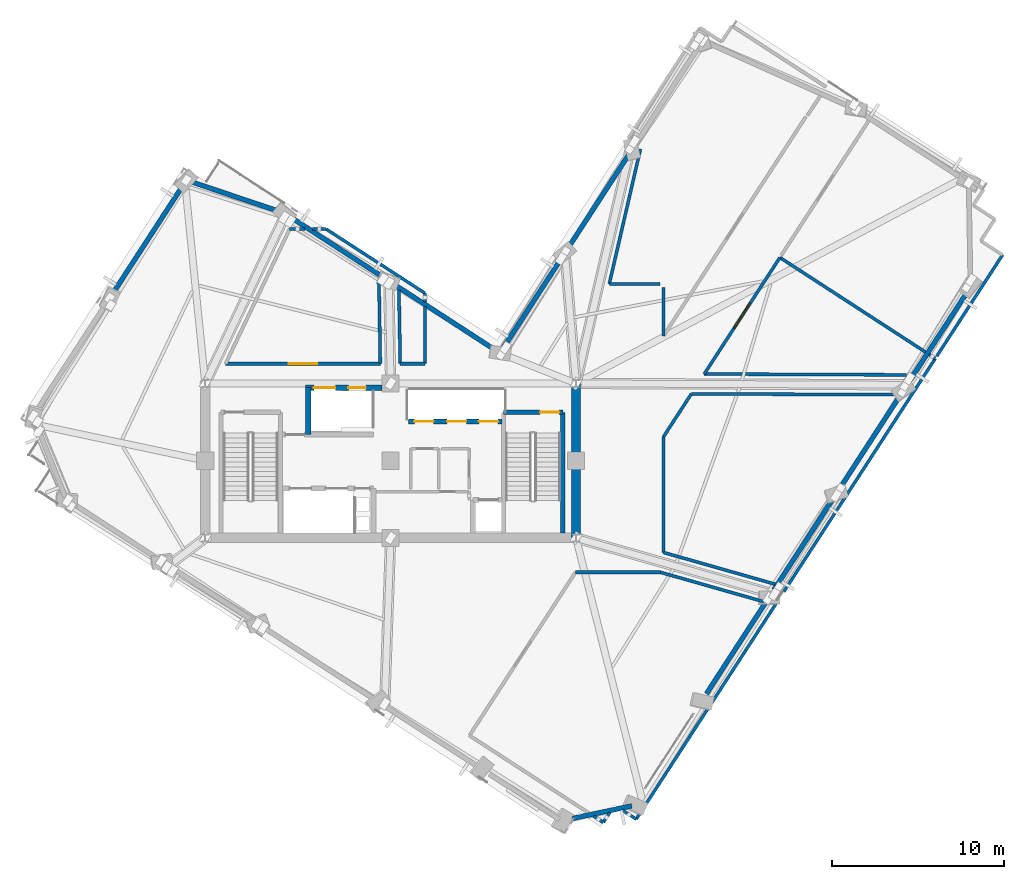
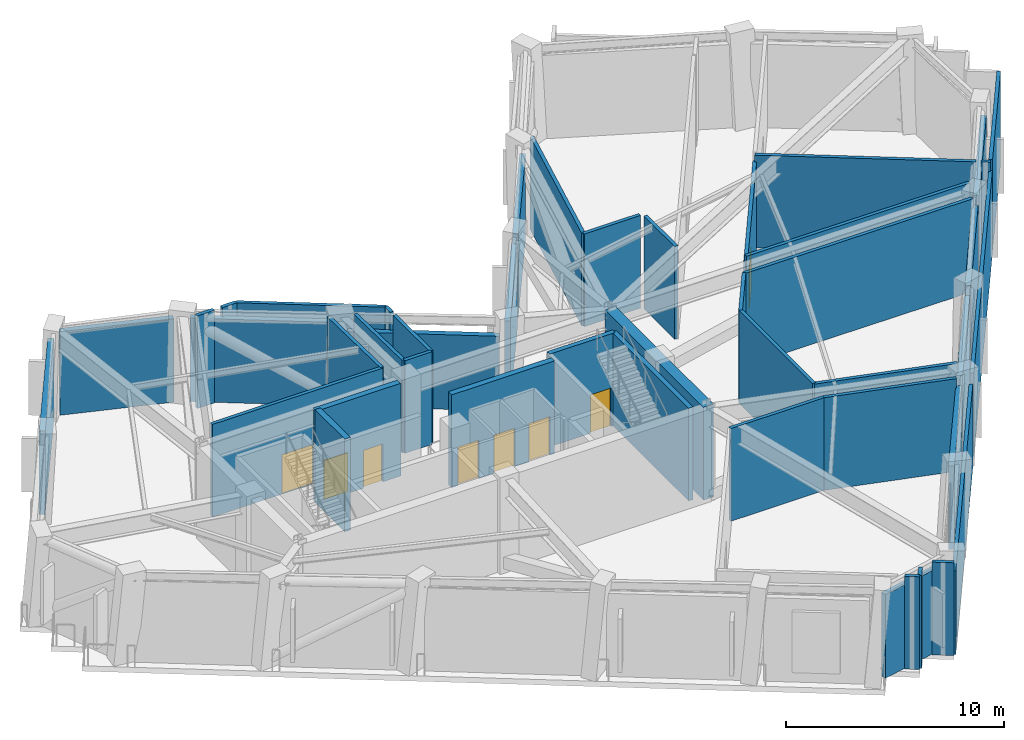
# One storey, part 5 of 11: 45 walls, 8 doors, 8 openings.
"""IFC4 building model written with IfcOpenShell, lengths in metres."""

from ifc_helpers import new_model, si_unit, direction, frame, frame_2d, origin, place, context, subcontext, project, spatial, rectangle, extrude, material, layer, layer_set, type_object, element, fill, save


model = new_model("IFC4")

# Units and contexts
model_context = context("Model", 3, precision=1e-05, world=origin(), true_north=direction((0.0, 1.0)))
body_context = subcontext(model_context, "Body", "Model", "MODEL_VIEW")
ifc_project = project(units=[si_unit("LENGTHUNIT", "METRE"), si_unit("AREAUNIT", "SQUARE_METRE"), si_unit("VOLUMEUNIT", "CUBIC_METRE"), si_unit("PLANEANGLEUNIT", "RADIAN"), si_unit("MASSUNIT", "GRAM", prefix="KILO")], contexts=[model_context])

# Site, building, storey
site_placement = place(None, origin())
site = spatial("IfcSite", under=ifc_project, at=site_placement, CompositionType="ELEMENT")
building_placement = place(site_placement, origin())
building = spatial("IfcBuilding", under=site, at=building_placement, Name="Gaonmaruhae Medical Tower", CompositionType="ELEMENT")
storey_placement = place(building_placement, frame((0.0, 0.0, 267.199951171875)))
storey = spatial("IfcBuildingStorey", under=building, at=storey_placement, Name="L64", CompositionType="ELEMENT", Elevation=267.199951171875)

# Walls
ifc_material_1 = material(Name="Concrete C50/60", Category="concrete")
ifc_layer_1 = layer(ifc_material_1, 0.550048828125)
ifc_layer_set_1 = layer_set([ifc_layer_1], Name="Concrete C50/60")
wall_type_1 = type_object("IfcWallType", Name="CW-550 Mid-High Core Shear Wall", PredefinedType="SHEAR", material=ifc_layer_set_1)
wall_1_placement = place(storey_placement, frame((35.60009765625, 7.800048828125, 0.0), z_axis=(0.0, 0.0, 1.0), x_axis=(0.0, 1.0, 0.0)))
element("IfcWall", 1, at=wall_1_placement, inside=storey, type_object=wall_type_1, Name="L64 Core Shear Wall CSW-E1", PredefinedType="SHEAR", context=body_context, shape_type="SweptSolid", body=[
    extrude(rectangle(XDim=9.0, YDim=0.550048828125, at=frame_2d((4.5, 0.0))), origin(), (0.0, 0.0, 1.0), 5.179931640625),
])
ifc_material_2 = material(Name="Precast concrete C45/55", Category="concrete")
ifc_layer_2 = layer(ifc_material_2, 0.280029296875)
ifc_layer_set_2 = layer_set([ifc_layer_2], Name="Precast concrete C45/55")
wall_type_2 = type_object("IfcWallType", Name="EW-280 Upper Precast Masonry-Frame Facade Wall", PredefinedType="SOLIDWALL", material=ifc_layer_set_2)
wall_2_placement = place(storey_placement, frame((46.702880859375, 4.1240234375, 0.0), z_axis=(0.0, 0.0, 1.0), x_axis=(-0.544623108632, -0.838680910445, 0.0)))
element("IfcWall", 2, at=wall_2_placement, inside=storey, type_object=wall_type_2, Name="L64 Precast Masonry-Frame Wall S02-S03", PredefinedType="SOLIDWALL", context=body_context, shape_type="SweptSolid", body=[
    extrude(rectangle(XDim=6.4384765625, YDim=0.280029296875, at=frame_2d((3.21923828125, 0.0))), origin(), (0.0, 0.0, 1.0), 4.6650390625),
])
wall_3_placement = place(storey_placement, frame((50.619873046875, 10.155517578125, 0.0), z_axis=(0.0, 0.0, 1.0), x_axis=(-0.544645779621, -0.838666187909, 0.0)))
element("IfcWall", 3, at=wall_3_placement, inside=storey, type_object=wall_type_2, Name="L64 Precast Masonry-Frame Wall S03-S04", PredefinedType="SOLIDWALL", context=body_context, shape_type="SweptSolid", body=[
    extrude(rectangle(XDim=6.41357421875, YDim=0.280029296875, at=frame_2d((3.206787109375, 0.0))), origin(), (0.0, 0.0, 1.0), 4.6650390625),
])
wall_4_placement = place(storey_placement, frame((54.54150390625, 16.194580078125, 0.0), z_axis=(0.0, 0.0, 1.0), x_axis=(-0.544617278446, -0.838684696425, 0.0)))
element("IfcWall", 4, at=wall_4_placement, inside=storey, type_object=wall_type_2, Name="L64 Precast Masonry-Frame Wall S04-S05", PredefinedType="SOLIDWALL", context=body_context, shape_type="SweptSolid", body=[
    extrude(rectangle(XDim=6.40673828125, YDim=0.280029296875, at=frame_2d((3.203369140625, 0.0))), origin(), (0.0, 0.0, 1.0), 4.6650390625),
])
wall_5_placement = place(storey_placement, frame((58.468505859375, 22.2412109375, 0.0), z_axis=(0.0, 0.0, 1.0), x_axis=(-0.544662080761, -0.838655601413, 0.0)))
element("IfcWall", 5, at=wall_5_placement, inside=storey, type_object=wall_type_2, Name="L64 Precast Masonry-Frame Wall S05-S06", PredefinedType="SOLIDWALL", context=body_context, shape_type="SweptSolid", body=[
    extrude(rectangle(XDim=6.41845703125, YDim=0.280029296875, at=frame_2d((3.209228515625, 0.0))), origin(), (0.0, 0.0, 1.0), 4.6650390625),
])
wall_6_placement = place(storey_placement, frame((35.172607421875, 24.742919921875, 0.0), z_axis=(0.0, 0.0, 1.0), x_axis=(0.544648240809, 0.838664589561, 0.0)))
element("IfcWall", 6, at=wall_6_placement, inside=storey, type_object=wall_type_2, Name="L64 Precast Masonry-Frame Wall EN01-EN02", PredefinedType="SOLIDWALL", context=body_context, shape_type="SweptSolid", body=[
    extrude(rectangle(XDim=6.40966796875, YDim=0.280029296875, at=frame_2d((3.204833984375, 0.0))), origin(), (0.0, 0.0, 1.0), 4.6650390625),
])
wall_7_placement = place(storey_placement, frame((31.3857421875, 18.91162109375, 0.0), z_axis=(0.0, 0.0, 1.0), x_axis=(0.544623189324, 0.838680858045, 0.0)))
element("IfcWall", 7, at=wall_7_placement, inside=storey, type_object=wall_type_2, Name="L64 Precast Masonry-Frame Wall EN02-KN01", PredefinedType="SOLIDWALL", context=body_context, shape_type="SweptSolid", body=[
    extrude(rectangle(XDim=6.157958984375, YDim=0.280029296875, at=frame_2d((3.0791015625, 0.0))), origin(), (0.0, 0.0, 1.0), 4.6650390625),
])
wall_8_placement = place(storey_placement, frame((25.04150390625, 22.548095703125, 0.0), z_axis=(0.0, 0.0, 1.0), x_axis=(0.838656789212, -0.544660251817, 0.0)))
element("IfcWall", 8, at=wall_8_placement, inside=storey, type_object=wall_type_2, Name="L64 Precast Masonry-Frame Wall KN01-NE01", PredefinedType="SOLIDWALL", context=body_context, shape_type="SweptSolid", body=[
    extrude(rectangle(XDim=6.9580078125, YDim=0.280029296875, at=frame_2d((3.47900390625, 0.0))), origin(), (0.0, 0.0, 1.0), 4.1650390625),
])
wall_9_placement = place(storey_placement, frame((18.992919921875, 26.47607421875, 0.0), z_axis=(0.0, 0.0, 1.0), x_axis=(0.838672768507, -0.544635646433, 0.0)))
element("IfcWall", 9, at=wall_9_placement, inside=storey, type_object=wall_type_2, Name="L64 Precast Masonry-Frame Wall NE01-NE02", PredefinedType="SOLIDWALL", context=body_context, shape_type="SweptSolid", body=[
    extrude(rectangle(XDim=6.424072265625, YDim=0.280029296875, at=frame_2d((3.2119140625, 0.0))), origin(), (0.0, 0.0, 1.0), 4.6650390625),
])
wall_10_placement = place(storey_placement, frame((13.267578125, 28.519287109375, 0.0), z_axis=(0.0, 0.0, 1.0), x_axis=(0.947665475891, -0.319265008737, 0.0)))
element("IfcWall", 10, at=wall_10_placement, inside=storey, type_object=wall_type_2, Name="L64 Precast Masonry-Frame Wall NE02-N01", PredefinedType="SOLIDWALL", context=body_context, shape_type="SweptSolid", body=[
    extrude(rectangle(XDim=5.302490234375, YDim=0.280029296875, at=frame_2d((2.6513671875, 0.0))), origin(), (0.0, 0.0, 1.0), 4.6650390625),
])
wall_11_placement = place(storey_placement, frame((8.5537109375, 21.94384765625, 0.0), z_axis=(0.0, 0.0, 1.0), x_axis=(0.54464894158, 0.838664134464, 0.0)))
element("IfcWall", 11, at=wall_11_placement, inside=storey, type_object=wall_type_2, Name="L64 Precast Masonry-Frame Wall N01-N02", PredefinedType="SOLIDWALL", context=body_context, shape_type="SweptSolid", body=[
    extrude(rectangle(XDim=7.434326171875, YDim=0.280029296875, at=frame_2d((3.71728515625, 0.0))), origin(), (0.0, 0.0, 1.0), 4.6650390625),
])
wall_12_placement = place(storey_placement, frame((38.85009765625, -7.8076171875, 0.0), z_axis=(0.0, 0.0, 1.0), x_axis=(-0.978152153509, -0.207890270539, 0.0)))
element("IfcWall", 12, at=wall_12_placement, inside=storey, type_object=wall_type_2, Name="L64 Precast Masonry-Frame Wall W06-S01", PredefinedType="SOLIDWALL", context=body_context, shape_type="SweptSolid", body=[
    extrude(rectangle(XDim=3.520751953125, YDim=0.280029296875, at=frame_2d((1.76025390625, 0.0))), origin(), (0.0, 0.0, 1.0), 4.6650390625),
])
ifc_material_3 = material(Name="Gypsum board partition", Category="gypsum")
ifc_layer_3 = layer(ifc_material_3, 0.179931640625)
ifc_layer_set_3 = layer_set([ifc_layer_3], Name="Gypsum board partition")
wall_type_3 = type_object("IfcWallType", Name="PW-180 Refuge & Plant Acoustic Fire Partition", PredefinedType="PARTITIONING", material=ifc_layer_set_3)
wall_13_placement = place(storey_placement, frame((26.800048828125, 17.949951171875, 0.0), z_axis=(0.0, 0.0, 1.0), x_axis=(-1.0, 0.0, 0.0)))
element("IfcWall", 13, at=wall_13_placement, inside=storey, type_object=wall_type_3, Name="L64 Interior Partition L64-REF1-8", PredefinedType="PARTITIONING", context=body_context, shape_type="SweptSolid", body=[
    extrude(rectangle(XDim=1.43994140625, YDim=0.179931640625, at=frame_2d((0.719970703125, 0.0))), origin(), (0.0, 0.0, 1.0), 5.179931640625),
])
wall_14_placement = place(storey_placement, frame((25.360107421875, 17.949951171875, 0.0), z_axis=(0.0, 0.0, 1.0), x_axis=(-0.017699354695, 0.999843354153, 0.0)))
element("IfcWall", 14, at=wall_14_placement, inside=storey, type_object=wall_type_3, Name="L64 Interior Partition L64-REF1-9", PredefinedType="PARTITIONING", context=body_context, shape_type="SweptSolid", body=[
    extrude(rectangle(XDim=4.3037109375, YDim=0.179931640625, at=frame_2d((2.15185546875, 0.0))), origin(), (0.0, 0.0, 1.0), 5.179931640625),
])
wall_15_placement = place(storey_placement, frame((24.1220703125, 22.69091796875, 0.0), z_axis=(0.0, 0.0, 1.0), x_axis=(0.016424994444, -0.99986510068, 0.0)))
element("IfcWall", 15, at=wall_15_placement, inside=storey, type_object=wall_type_3, Name="L64 Interior Partition L64-REF1-10", PredefinedType="PARTITIONING", context=body_context, shape_type="SweptSolid", body=[
    extrude(rectangle(XDim=4.74169921875, YDim=0.179931640625, at=frame_2d((2.370849609375, 0.0))), origin(), (0.0, 0.0, 1.0), 5.179931640625),
])

# Wall, opening, door
wall_16_placement = place(storey_placement, frame((24.199951171875, 17.949951171875, 0.0), z_axis=(0.0, 0.0, 1.0), x_axis=(-1.0, 0.0, 0.0)))
wall_16 = element("IfcWall", 16, at=wall_16_placement, inside=storey, type_object=wall_type_3, Name="L64 Interior Partition L64-REF1-11", PredefinedType="PARTITIONING", context=body_context, shape_type="SweptSolid", body=[
    extrude(rectangle(XDim=9.010986328125, YDim=0.179931640625, at=frame_2d((4.50537109375, 0.0))), origin(), (0.0, 0.0, 1.0), 5.179931640625),
])
opening_1_placement = place(wall_16_placement, frame((3.680419921875, 0.0, 0.0)))
opening_1 = element("IfcOpeningElement", 17, at=opening_1_placement, cuts=wall_16, Name="Opening FD-04", PredefinedType="OPENING", context=body_context, shape_type="SweptSolid", body=[
    extrude(rectangle(XDim=1.64990234375, YDim=2.199951171875, at=frame_2d((0.824951171875, 1.10009765625))), frame((0.0, 0.10009765625, 0.0), z_axis=(0.0, -1.0, 0.0), x_axis=(1.0, 0.0, 0.0)), (0.0, 0.0, 1.0), 0.199951171875),
])
ifc_material_4 = material(Name="Powder-coated steel fire door", Category="steel")
door_type_1 = type_object("IfcDoorType", Name="FD-04 Refuge & Trauma Double Fire Door 1650x2200", OperationType="NOTDEFINED", PredefinedType="DOOR", material=ifc_material_4)
door_1_placement = place(opening_1_placement, origin())
door_1 = element("IfcDoor", 18, at=door_1_placement, inside=storey, type_object=door_type_1, Name="L64 Designated Fire Refuge Safety Area Door", OperationType="DOUBLE_DOOR_SINGLE_SWING", OverallHeight=2.199951171875, OverallWidth=1.64990234375, PredefinedType="DOOR", context=body_context, shape_type="SweptSolid", body=[
    extrude(rectangle(XDim=1.64990234375, YDim=2.199951171875, at=frame_2d((0.824951171875, 1.10009765625))), frame((0.0, 0.02490234375, 0.0), z_axis=(0.0, -1.0, 0.0), x_axis=(1.0, 0.0, 0.0)), (0.0, 0.0, 1.0), 0.050048828125),
])
fill(opening_1, door_1)

# Walls
wall_17_placement = place(storey_placement, frame((18.923095703125, 25.800048828125, 0.0), z_axis=(0.0, 0.0, 1.0), x_axis=(1.0, 0.0, 0.0)))
element("IfcWall", 19, at=wall_17_placement, inside=storey, type_object=wall_type_3, Name="L64 Interior Partition L64-REF1-13", PredefinedType="PARTITIONING", context=body_context, shape_type="SweptSolid", body=[
    extrude(rectangle(XDim=0.89990234375, YDim=0.179931640625, at=frame_2d((0.449951171875, 0.0))), origin(), (0.0, 0.0, 1.0), 5.179931640625),
])
wall_18_placement = place(storey_placement, frame((20.2451171875, 25.800048828125, 0.0), z_axis=(0.0, 0.0, 1.0), x_axis=(1.0, 0.0, 0.0)))
element("IfcWall", 20, at=wall_18_placement, inside=storey, type_object=wall_type_3, Name="L64 Interior Partition L64-REF1-14", PredefinedType="PARTITIONING", context=body_context, shape_type="SweptSolid", body=[
    extrude(rectangle(XDim=0.798828125, YDim=0.179931640625, at=frame_2d((0.3994140625, 0.0))), origin(), (0.0, 0.0, 1.0), 5.179931640625),
])
wall_19_placement = place(storey_placement, frame((21.0439453125, 25.800048828125, 0.0), z_axis=(0.0, 0.0, 1.0), x_axis=(0.838671913692, -0.544636962741, 0.0)))
element("IfcWall", 21, at=wall_19_placement, inside=storey, type_object=wall_type_3, Name="L64 Interior Partition L64-REF1-15", PredefinedType="PARTITIONING", context=body_context, shape_type="SweptSolid", body=[
    extrude(rectangle(XDim=6.86328125, YDim=0.179931640625, at=frame_2d((3.431640625, 0.0))), origin(), (0.0, 0.0, 1.0), 5.179931640625),
])
wall_20_placement = place(storey_placement, frame((26.800048828125, 22.06201171875, 0.0), z_axis=(0.0, 0.0, 1.0), x_axis=(0.0, -1.0, 0.0)))
element("IfcWall", 22, at=wall_20_placement, inside=storey, type_object=wall_type_3, Name="L64 Interior Partition L64-REF1-16", PredefinedType="PARTITIONING", context=body_context, shape_type="SweptSolid", body=[
    extrude(rectangle(XDim=0.51904296875, YDim=0.179931640625, at=frame_2d((0.259521484375, 0.0))), origin(), (0.0, 0.0, 1.0), 5.179931640625),
])
wall_21_placement = place(storey_placement, frame((26.800048828125, 21.26904296875, 0.0), z_axis=(0.0, 0.0, 1.0), x_axis=(0.0, -1.0, 0.0)))
element("IfcWall", 23, at=wall_21_placement, inside=storey, type_object=wall_type_3, Name="L64 Interior Partition L64-REF1-17", PredefinedType="PARTITIONING", context=body_context, shape_type="SweptSolid", body=[
    extrude(rectangle(XDim=3.319091796875, YDim=0.179931640625, at=frame_2d((1.65966796875, 0.0))), origin(), (0.0, 0.0, 1.0), 5.179931640625),
])
wall_22_placement = place(storey_placement, frame((54.85302734375, 17.299072265625, 0.0), z_axis=(0.0, 0.0, 1.0), x_axis=(-0.999990623779, 0.004330398864, 0.0)))
element("IfcWall", 24, at=wall_22_placement, inside=storey, type_object=wall_type_3, Name="L64 Interior Partition L64-CHIL-18", PredefinedType="PARTITIONING", context=body_context, shape_type="SweptSolid", body=[
    extrude(rectangle(XDim=11.782958984375, YDim=0.179931640625, at=frame_2d((5.8916015625, 0.0))), origin(), (0.0, 0.0, 1.0), 5.179931640625),
])

# Wall, opening, door
wall_23_placement = place(storey_placement, frame((43.070068359375, 17.35009765625, 0.0), z_axis=(0.0, 0.0, 1.0), x_axis=(0.544709363568, 0.838624891857, 0.0)))
wall_23 = element("IfcWall", 25, at=wall_23_placement, inside=storey, type_object=wall_type_3, Name="L64 Interior Partition L64-CHIL-19", PredefinedType="PARTITIONING", context=body_context, shape_type="SweptSolid", body=[
    extrude(rectangle(XDim=8.090576171875, YDim=0.179931640625, at=frame_2d((4.04541015625, 0.0))), origin(), (0.0, 0.0, 1.0), 4.81494140625),
])
opening_2_placement = place(wall_23_placement, frame((3.17041015625, 0.0, 0.0)))
opening_2 = element("IfcOpeningElement", 26, at=opening_2_placement, cuts=wall_23, Name="Opening PD-01", PredefinedType="OPENING", context=body_context, shape_type="SweptSolid", body=[
    extrude(rectangle(XDim=1.75, YDim=2.199951171875, at=frame_2d((0.875, 1.10009765625))), frame((0.0, 0.10009765625, 0.0), z_axis=(0.0, -1.0, 0.0), x_axis=(1.0, 0.0, 0.0)), (0.0, 0.0, 1.0), 0.199951171875),
])
ifc_material_5 = material(Name="Acoustic galvanised steel plant door", Category="steel")
door_type_2 = type_object("IfcDoorType", Name="PD-01 Mechanical Plant Double Equipment Door 1750x2200", OperationType="NOTDEFINED", PredefinedType="DOOR", material=ifc_material_5)
door_2_placement = place(opening_2_placement, origin())
door_2 = element("IfcDoor", 27, at=door_2_placement, inside=storey, type_object=door_type_2, Name="L64 Zone Chiller and Heat Exchanger Plant Room Door", OperationType="DOUBLE_DOOR_SINGLE_SWING", OverallHeight=2.199951171875, OverallWidth=1.75, PredefinedType="DOOR", context=body_context, shape_type="SweptSolid", body=[
    extrude(rectangle(XDim=1.75, YDim=2.199951171875, at=frame_2d((0.875, 1.10009765625))), frame((0.0, 0.02490234375, 0.0), z_axis=(0.0, -1.0, 0.0), x_axis=(1.0, 0.0, 0.0)), (0.0, 0.0, 1.0), 0.050048828125),
])
fill(opening_2, door_2)

# Walls
wall_24_placement = place(storey_placement, frame((47.47705078125, 24.135009765625, 0.0), z_axis=(0.0, 0.0, 1.0), x_axis=(0.83863950406, -0.544686866218, 0.0)))
element("IfcWall", 28, at=wall_24_placement, inside=storey, type_object=wall_type_3, Name="L64 Interior Partition L64-CHIL-20", PredefinedType="PARTITIONING", context=body_context, shape_type="SweptSolid", body=[
    extrude(rectangle(XDim=10.13427734375, YDim=0.179931640625, at=frame_2d((5.067138671875, 0.0))), origin(), (0.0, 0.0, 1.0), 5.179931640625),
])
wall_25_placement = place(storey_placement, frame((56.1689453125, 18.489990234375, 0.0), z_axis=(0.0, 0.0, 1.0), x_axis=(0.838635808915, -0.544692555489, 0.0)))
element("IfcWall", 29, at=wall_25_placement, inside=storey, type_object=wall_type_3, Name="L64 Interior Partition L64-CHIL-21", PredefinedType="PARTITIONING", context=body_context, shape_type="SweptSolid", body=[
    extrude(rectangle(XDim=0.435302734375, YDim=0.179931640625, at=frame_2d((0.2177734375, 0.0))), origin(), (0.0, 0.0, 1.0), 5.179931640625),
])
wall_26_placement = place(storey_placement, frame((56.533935546875, 18.2529296875, 0.0), z_axis=(0.0, 0.0, 1.0), x_axis=(-0.544604754457, -0.838692829004, 0.0)))
element("IfcWall", 30, at=wall_26_placement, inside=storey, type_object=wall_type_3, Name="L64 Interior Partition L64-CHIL-22", PredefinedType="PARTITIONING", context=body_context, shape_type="SweptSolid", body=[
    extrude(rectangle(XDim=16.198974609375, YDim=0.179931640625, at=frame_2d((8.099609375, 0.0))), origin(), (0.0, 0.0, 1.0), 4.6650390625),
])
wall_27_placement = place(storey_placement, frame((47.202880859375, 5.10595703125, 0.0), z_axis=(0.0, 0.0, 1.0), x_axis=(-0.96190730428, 0.273375818193, 0.0)))
element("IfcWall", 31, at=wall_27_placement, inside=storey, type_object=wall_type_3, Name="L64 Interior Partition L64-CHIL-23", PredefinedType="PARTITIONING", context=body_context, shape_type="SweptSolid", body=[
    extrude(rectangle(XDim=6.760498046875, YDim=0.179931640625, at=frame_2d((3.38037109375, 0.0))), origin(), (0.0, 0.0, 1.0), 5.179931640625),
])
wall_28_placement = place(storey_placement, frame((40.699951171875, 6.9541015625, 0.0), z_axis=(0.0, 0.0, 1.0), x_axis=(0.0, 1.0, 0.0)))
element("IfcWall", 32, at=wall_28_placement, inside=storey, type_object=wall_type_3, Name="L64 Interior Partition L64-CHIL-24", PredefinedType="PARTITIONING", context=body_context, shape_type="SweptSolid", body=[
    extrude(rectangle(XDim=6.745849609375, YDim=0.179931640625, at=frame_2d((3.373046875, 0.0))), origin(), (0.0, 0.0, 1.0), 5.179931640625),
])
wall_29_placement = place(storey_placement, frame((40.699951171875, 13.699951171875, 0.0), z_axis=(0.0, 0.0, 1.0), x_axis=(0.544653456238, 0.838661202518, 0.0)))
element("IfcWall", 33, at=wall_29_placement, inside=storey, type_object=wall_type_3, Name="L64 Interior Partition L64-CHIL-25", PredefinedType="PARTITIONING", context=body_context, shape_type="SweptSolid", body=[
    extrude(rectangle(XDim=2.972900390625, YDim=0.179931640625, at=frame_2d((1.486328125, 0.0))), origin(), (0.0, 0.0, 1.0), 5.179931640625),
])
wall_30_placement = place(storey_placement, frame((42.319091796875, 16.193115234375, 0.0), z_axis=(0.0, 0.0, 1.0), x_axis=(0.999991710689, -0.004071676975, 0.0)))
element("IfcWall", 34, at=wall_30_placement, inside=storey, type_object=wall_type_3, Name="L64 Interior Partition L64-CHIL-26", PredefinedType="PARTITIONING", context=body_context, shape_type="SweptSolid", body=[
    extrude(rectangle(XDim=12.052001953125, YDim=0.179931640625, at=frame_2d((6.02587890625, 0.0))), origin(), (0.0, 0.0, 1.0), 5.179931640625),
])
wall_31_placement = place(storey_placement, frame((35.570068359375, 5.800048828125, 0.0), z_axis=(0.0, 0.0, 1.0), x_axis=(0.999999980491, 0.00019753086, 0.0)))
element("IfcWall", 35, at=wall_31_placement, inside=storey, type_object=wall_type_3, Name="L64 Interior Partition L64-CHILB-28", PredefinedType="PARTITIONING", context=body_context, shape_type="SweptSolid", body=[
    extrude(rectangle(XDim=4.94384765625, YDim=0.179931640625, at=frame_2d((2.471923828125, 0.0))), origin(), (0.0, 0.0, 1.0), 5.179931640625),
])
wall_32_placement = place(storey_placement, frame((40.513916015625, 5.801025390625, 0.0), z_axis=(0.0, 0.0, 1.0), x_axis=(0.961868648454, -0.273511797043, 0.0)))
element("IfcWall", 36, at=wall_32_placement, inside=storey, type_object=wall_type_3, Name="L64 Interior Partition L64-CHILB-29", PredefinedType="PARTITIONING", context=body_context, shape_type="SweptSolid", body=[
    extrude(rectangle(XDim=6.26708984375, YDim=0.179931640625, at=frame_2d((3.133544921875, 0.0))), origin(), (0.0, 0.0, 1.0), 5.179931640625),
])
wall_33_placement = place(storey_placement, frame((47.241943359375, 3.945068359375, 0.0), z_axis=(0.0, 0.0, 1.0), x_axis=(-0.544586782289, -0.838704498948, 0.0)))
element("IfcWall", 37, at=wall_33_placement, inside=storey, type_object=wall_type_3, Name="L64 Interior Partition L64-CHILB-30", PredefinedType="PARTITIONING", context=body_context, shape_type="SweptSolid", body=[
    extrude(rectangle(XDim=14.939697265625, YDim=0.179931640625, at=frame_2d((7.4697265625, 0.0))), origin(), (0.0, 0.0, 1.0), 4.6650390625),
])
wall_34_placement = place(storey_placement, frame((39.10595703125, -8.5849609375, 0.0), z_axis=(0.0, 0.0, 1.0), x_axis=(-0.838866758112, 0.544336809461, 0.0)))
element("IfcWall", 38, at=wall_34_placement, inside=storey, type_object=wall_type_3, Name="L64 Interior Partition L64-CHILB-31", PredefinedType="PARTITIONING", context=body_context, shape_type="SweptSolid", body=[
    extrude(rectangle(XDim=0.988037109375, YDim=0.179931640625, at=frame_2d((0.494140625, 0.0))), origin(), (0.0, 0.0, 1.0), 5.179931640625),
])
wall_35_placement = place(storey_placement, frame((37.569091796875, -8.197021484375, 0.0), z_axis=(0.0, 0.0, 1.0), x_axis=(-0.545000822178, -0.83843550964, 0.0)))
element("IfcWall", 39, at=wall_35_placement, inside=storey, type_object=wall_type_3, Name="L64 Interior Partition L64-CHILB-32", PredefinedType="PARTITIONING", context=body_context, shape_type="SweptSolid", body=[
    extrude(rectangle(XDim=0.68798828125, YDim=0.179931640625, at=frame_2d((0.343994140625, 0.0))), origin(), (0.0, 0.0, 1.0), 5.179931640625),
])
wall_36_placement = place(storey_placement, frame((37.194091796875, -8.77392578125, 0.0), z_axis=(0.0, 0.0, 1.0), x_axis=(-0.83876827117, 0.544488555692, 0.0)))
element("IfcWall", 40, at=wall_36_placement, inside=storey, type_object=wall_type_3, Name="L64 Interior Partition L64-CHILB-33", PredefinedType="PARTITIONING", context=body_context, shape_type="SweptSolid", body=[
    extrude(rectangle(XDim=0.68701171875, YDim=0.179931640625, at=frame_2d((0.343505859375, 0.0))), origin(), (0.0, 0.0, 1.0), 5.179931640625),
])
wall_37_placement = place(storey_placement, frame((60.4560546875, 24.291015625, 0.0), z_axis=(0.0, 0.0, 1.0), x_axis=(-0.544710785944, -0.838623967984, 0.0)))
element("IfcWall", 41, at=wall_37_placement, inside=storey, type_object=wall_type_3, Name="L64 Interior Partition L64-AHU-41", PredefinedType="PARTITIONING", context=body_context, shape_type="SweptSolid", body=[
    extrude(rectangle(XDim=7.0498046875, YDim=0.179931640625, at=frame_2d((3.52490234375, 0.0))), origin(), (0.0, 0.0, 1.0), 5.179931640625),
])
wall_38_placement = place(storey_placement, frame((40.699951171875, 19.575927734375, 0.0), z_axis=(0.0, 0.0, 1.0), x_axis=(0.0, 1.0, 0.0)))
element("IfcWall", 42, at=wall_38_placement, inside=storey, type_object=wall_type_3, Name="L64 Interior Partition L64-PUMP-43", PredefinedType="PARTITIONING", context=body_context, shape_type="SweptSolid", body=[
    extrude(rectangle(XDim=2.823974609375, YDim=0.179931640625, at=frame_2d((1.412109375, 0.0))), origin(), (0.0, 0.0, 1.0), 5.179931640625),
])
wall_39_placement = place(storey_placement, frame((40.5, 22.60009765625, 0.0), z_axis=(0.0, 0.0, 1.0), x_axis=(-1.0, 0.0, 0.0)))
element("IfcWall", 43, at=wall_39_placement, inside=storey, type_object=wall_type_3, Name="L64 Interior Partition L64-PUMP-44", PredefinedType="PARTITIONING", context=body_context, shape_type="SweptSolid", body=[
    extrude(rectangle(XDim=2.9619140625, YDim=0.179931640625, at=frame_2d((1.48095703125, 0.0))), origin(), (0.0, 0.0, 1.0), 5.179931640625),
])
wall_40_placement = place(storey_placement, frame((37.5380859375, 22.60009765625, 0.0), z_axis=(0.0, 0.0, 1.0), x_axis=(0.225149415731, 0.974324248182, 0.0)))
element("IfcWall", 44, at=wall_40_placement, inside=storey, type_object=wall_type_3, Name="L64 Interior Partition L64-PUMP-45", PredefinedType="PARTITIONING", context=body_context, shape_type="SweptSolid", body=[
    extrude(rectangle(XDim=8.056640625, YDim=0.179931640625, at=frame_2d((4.0283203125, 0.0))), origin(), (0.0, 0.0, 1.0), 5.179931640625),
])

# Wall, opening, door
ifc_layer_4 = layer(ifc_material_1, 0.239990234375)
ifc_layer_set_4 = layer_set([ifc_layer_4], Name="Concrete C50/60")
wall_type_4 = type_object("IfcWallType", Name="SW-240 Dogleg Stair Tight Shaft Wall", PredefinedType="SOLIDWALL", material=ifc_layer_set_4)
wall_41_placement = place(storey_placement, frame((31.3701171875, 15.1201171875, 0.0), z_axis=(0.0, 0.0, 1.0), x_axis=(1.0, 0.0, 0.0)))
wall_41 = element("IfcWall", 45, at=wall_41_placement, inside=storey, type_object=wall_type_4, Name="L64 ST-02 Stair Shaft Wall SHW-ST-02-N", PredefinedType="SOLIDWALL", context=body_context, shape_type="SweptSolid", body=[
    extrude(rectangle(XDim=3.4599609375, YDim=0.239990234375, at=frame_2d((1.72998046875, 0.0))), origin(), (0.0, 0.0, 1.0), 5.179931640625),
])
opening_3_placement = place(wall_41_placement, frame((2.139892578125, 0.0, 0.0)))
opening_3 = element("IfcOpeningElement", 46, at=opening_3_placement, cuts=wall_41, Name="Opening FD-01", PredefinedType="OPENING", context=body_context, shape_type="SweptSolid", body=[
    extrude(rectangle(XDim=1.10009765625, YDim=2.14990234375, at=frame_2d((0.550048828125, 1.074951171875))), frame((0.0, 0.1298828125, 0.0), z_axis=(0.0, -1.0, 0.0), x_axis=(1.0, 0.0, 0.0)), (0.0, 0.0, 1.0), 0.260009765625),
])
door_type_3 = type_object("IfcDoorType", Name="FD-01 Escape Stair Protected Fire Door 1100x2150", OperationType="NOTDEFINED", PredefinedType="DOOR", material=ifc_material_4)
door_3_placement = place(opening_3_placement, origin())
door_3 = element("IfcDoor", 47, at=door_3_placement, inside=storey, type_object=door_type_3, Name="L64 ST-02 Protected Escape Stair Door", OperationType="SINGLE_SWING_RIGHT", OverallHeight=2.14990234375, OverallWidth=1.10009765625, PredefinedType="DOOR", context=body_context, shape_type="SweptSolid", body=[
    extrude(rectangle(XDim=1.10009765625, YDim=2.14990234375, at=frame_2d((0.550048828125, 1.074951171875))), frame((0.0, 0.02490234375, 0.0), z_axis=(0.0, -1.0, 0.0), x_axis=(1.0, 0.0, 0.0)), (0.0, 0.0, 1.0), 0.050048828125),
])
fill(opening_3, door_3)

# Wall
wall_42_placement = place(storey_placement, frame((34.830078125, 15.1201171875, 0.0), z_axis=(0.0, 0.0, 1.0), x_axis=(0.0, -1.0, 0.0)))
element("IfcWall", 48, at=wall_42_placement, inside=storey, type_object=wall_type_4, Name="L64 ST-02 Stair Shaft Wall SHW-ST-02-E", PredefinedType="SOLIDWALL", context=body_context, shape_type="SweptSolid", body=[
    extrude(rectangle(XDim=7.045166015625, YDim=0.239990234375, at=frame_2d((3.5224609375, 0.0))), origin(), (0.0, 0.0, 1.0), 5.179931640625),
])

# Wall, openings, doors
ifc_layer_5 = layer(ifc_material_1, 0.300048828125)
ifc_layer_set_5 = layer_set([ifc_layer_5], Name="Concrete C50/60")
wall_type_5 = type_object("IfcWallType", Name="SW-300 Stair & Lift Hoistway Shaft Wall", PredefinedType="SOLIDWALL", material=ifc_layer_set_5)
wall_43_placement = place(storey_placement, frame((19.85009765625, 16.550048828125, 0.0), z_axis=(0.0, 0.0, 1.0), x_axis=(1.0, 0.0, 0.0)))
wall_43 = element("IfcWall", 49, at=wall_43_placement, inside=storey, type_object=wall_type_5, Name="L64 Core Shear Wall CSW-NB", PredefinedType="SOLIDWALL", context=body_context, shape_type="SweptSolid", body=[
    extrude(rectangle(XDim=4.449951171875, YDim=0.300048828125, at=frame_2d((2.22509765625, 0.0))), origin(), (0.0, 0.0, 1.0), 5.179931640625),
])
opening_4_placement = place(wall_43_placement, frame((0.47509765625, 0.0, 0.0)))
opening_4 = element("IfcOpeningElement", 50, at=opening_4_placement, cuts=wall_43, Name="Opening LD-F1", PredefinedType="OPENING", context=body_context, shape_type="SweptSolid", body=[
    extrude(rectangle(XDim=1.25, YDim=2.179931640625, at=frame_2d((0.625, 1.08984375))), frame((0.0, 0.16015625, 0.0), z_axis=(0.0, -1.0, 0.0), x_axis=(1.0, 0.0, 0.0)), (0.0, 0.0, 1.0), 0.320068359375),
])
opening_5_placement = place(wall_43_placement, frame((2.489990234375, 0.0, 0.0)))
opening_5 = element("IfcOpeningElement", 51, at=opening_5_placement, cuts=wall_43, Name="Opening LD-S1", PredefinedType="OPENING", context=body_context, shape_type="SweptSolid", body=[
    extrude(rectangle(XDim=1.02001953125, YDim=2.1201171875, at=frame_2d((0.510009765625, 1.06005859375))), frame((0.0, 0.16015625, 0.0), z_axis=(0.0, -1.0, 0.0), x_axis=(1.0, 0.0, 0.0)), (0.0, 0.0, 1.0), 0.320068359375),
])
ifc_material_6 = material(Name="Brushed stainless steel 316L landing door", Category="steel")
door_type_4 = type_object("IfcDoorType", Name="LD-F1 Firefighting & Bed Lift Sliding Landing Door 1250x2180", OperationType="NOTDEFINED", PredefinedType="DOOR", material=ifc_material_6)
door_4_placement = place(opening_4_placement, origin())
door_4 = element("IfcDoor", 52, at=door_4_placement, inside=storey, type_object=door_type_4, Name="L64 Service/Bed Lift Landing Door BDL-01", OperationType="DOUBLE_DOOR_SLIDING", OverallHeight=2.179931640625, OverallWidth=1.25, PredefinedType="DOOR", context=body_context, shape_type="SweptSolid", body=[
    extrude(rectangle(XDim=1.25, YDim=2.179931640625, at=frame_2d((0.625, 1.08984375))), frame((0.0, 0.02490234375, 0.0), z_axis=(0.0, -1.0, 0.0), x_axis=(1.0, 0.0, 0.0)), (0.0, 0.0, 1.0), 0.050048828125),
])
fill(opening_4, door_4)
ifc_material_7 = material(Name="Brushed stainless steel 304 landing door", Category="steel")
door_type_5 = type_object("IfcDoorType", Name="LD-S1 Service Lift Sliding Landing Door 1020x2120", OperationType="NOTDEFINED", PredefinedType="DOOR", material=ifc_material_7)
door_5_placement = place(opening_5_placement, origin())
door_5 = element("IfcDoor", 53, at=door_5_placement, inside=storey, type_object=door_type_5, Name="L64 Service/Bed Lift Landing Door SVL-01", OperationType="SLIDING_TO_LEFT", OverallHeight=2.1201171875, OverallWidth=1.02001953125, PredefinedType="DOOR", context=body_context, shape_type="SweptSolid", body=[
    extrude(rectangle(XDim=1.02001953125, YDim=2.1201171875, at=frame_2d((0.510009765625, 1.06005859375))), frame((0.0, 0.02490234375, 0.0), z_axis=(0.0, -1.0, 0.0), x_axis=(1.0, 0.0, 0.0)), (0.0, 0.0, 1.0), 0.050048828125),
])
fill(opening_5, door_5)

# Wall
wall_44_placement = place(storey_placement, frame((20.0, 13.820068359375, 0.0), z_axis=(0.0, 0.0, 1.0), x_axis=(0.0, 1.0, 0.0)))
element("IfcWall", 54, at=wall_44_placement, inside=storey, type_object=wall_type_5, Name="L64 Shaft Enclosure Wall SHW-BDW", PredefinedType="SOLIDWALL", context=body_context, shape_type="SweptSolid", body=[
    extrude(rectangle(XDim=2.72998046875, YDim=0.300048828125, at=frame_2d((1.364990234375, 0.0))), origin(), (0.0, 0.0, 1.0), 5.179931640625),
])

# Wall, openings, doors
wall_45_placement = place(storey_placement, frame((25.85009765625, 14.580078125, 0.0), z_axis=(0.0, 0.0, 1.0), x_axis=(1.0, 0.0, 0.0)))
wall_45 = element("IfcWall", 55, at=wall_45_placement, inside=storey, type_object=wall_type_5, Name="L64 Shaft Enclosure Wall SHW-PLN", PredefinedType="SOLIDWALL", context=body_context, shape_type="SweptSolid", body=[
    extrude(rectangle(XDim=5.449951171875, YDim=0.300048828125, at=frame_2d((2.72509765625, 0.0))), origin(), (0.0, 0.0, 1.0), 5.179931640625),
])
opening_6_placement = place(wall_45_placement, frame((0.340087890625, 0.0, 0.0)))
opening_6 = element("IfcOpeningElement", 56, at=opening_6_placement, cuts=wall_45, Name="Opening LD-P1", PredefinedType="OPENING", context=body_context, shape_type="SweptSolid", body=[
    extrude(rectangle(XDim=1.1201171875, YDim=2.14990234375, at=frame_2d((0.56005859375, 1.074951171875))), frame((0.0, 0.16015625, 0.0), z_axis=(0.0, -1.0, 0.0), x_axis=(1.0, 0.0, 0.0)), (0.0, 0.0, 1.0), 0.320068359375),
])
opening_7_placement = place(wall_45_placement, frame((2.239990234375, 0.0, 0.0)))
opening_7 = element("IfcOpeningElement", 57, at=opening_7_placement, cuts=wall_45, Name="Opening LD-P1", PredefinedType="OPENING", context=body_context, shape_type="SweptSolid", body=[
    extrude(rectangle(XDim=1.1201171875, YDim=2.14990234375, at=frame_2d((0.56005859375, 1.074951171875))), frame((0.0, 0.16015625, 0.0), z_axis=(0.0, -1.0, 0.0), x_axis=(1.0, 0.0, 0.0)), (0.0, 0.0, 1.0), 0.320068359375),
])
opening_8_placement = place(wall_45_placement, frame((4.090087890625, 0.0, 0.0)))
opening_8 = element("IfcOpeningElement", 58, at=opening_8_placement, cuts=wall_45, Name="Opening LD-P1", PredefinedType="OPENING", context=body_context, shape_type="SweptSolid", body=[
    extrude(rectangle(XDim=1.1201171875, YDim=2.14990234375, at=frame_2d((0.56005859375, 1.074951171875))), frame((0.0, 0.16015625, 0.0), z_axis=(0.0, -1.0, 0.0), x_axis=(1.0, 0.0, 0.0)), (0.0, 0.0, 1.0), 0.320068359375),
])
door_type_6 = type_object("IfcDoorType", Name="LD-P1 Passenger Lift Sliding Landing Door 1120x2150", OperationType="NOTDEFINED", PredefinedType="DOOR", material=ifc_material_7)
door_6_placement = place(opening_6_placement, origin())
door_6 = element("IfcDoor", 59, at=door_6_placement, inside=storey, type_object=door_type_6, Name="L64 Passenger Lift Landing Door PL-M1", OperationType="DOUBLE_DOOR_SLIDING", OverallHeight=2.14990234375, OverallWidth=1.1201171875, PredefinedType="DOOR", context=body_context, shape_type="SweptSolid", body=[
    extrude(rectangle(XDim=1.1201171875, YDim=2.14990234375, at=frame_2d((0.56005859375, 1.074951171875))), frame((0.0, 0.02490234375, 0.0), z_axis=(0.0, -1.0, 0.0), x_axis=(1.0, 0.0, 0.0)), (0.0, 0.0, 1.0), 0.050048828125),
])
fill(opening_6, door_6)
door_7_placement = place(opening_7_placement, origin())
door_7 = element("IfcDoor", 60, at=door_7_placement, inside=storey, type_object=door_type_6, Name="L64 Passenger Lift Landing Door PL-M2", OperationType="DOUBLE_DOOR_SLIDING", OverallHeight=2.14990234375, OverallWidth=1.1201171875, PredefinedType="DOOR", context=body_context, shape_type="SweptSolid", body=[
    extrude(rectangle(XDim=1.1201171875, YDim=2.14990234375, at=frame_2d((0.56005859375, 1.074951171875))), frame((0.0, 0.02490234375, 0.0), z_axis=(0.0, -1.0, 0.0), x_axis=(1.0, 0.0, 0.0)), (0.0, 0.0, 1.0), 0.050048828125),
])
fill(opening_7, door_7)
door_8_placement = place(opening_8_placement, origin())
door_8 = element("IfcDoor", 61, at=door_8_placement, inside=storey, type_object=door_type_6, Name="L64 Passenger Lift Landing Door PL-H2", OperationType="DOUBLE_DOOR_SLIDING", OverallHeight=2.14990234375, OverallWidth=1.1201171875, PredefinedType="DOOR", context=body_context, shape_type="SweptSolid", body=[
    extrude(rectangle(XDim=1.1201171875, YDim=2.14990234375, at=frame_2d((0.56005859375, 1.074951171875))), frame((0.0, 0.02490234375, 0.0), z_axis=(0.0, -1.0, 0.0), x_axis=(1.0, 0.0, 0.0)), (0.0, 0.0, 1.0), 0.050048828125),
])
fill(opening_8, door_8)

save(model, "model.ifc")
